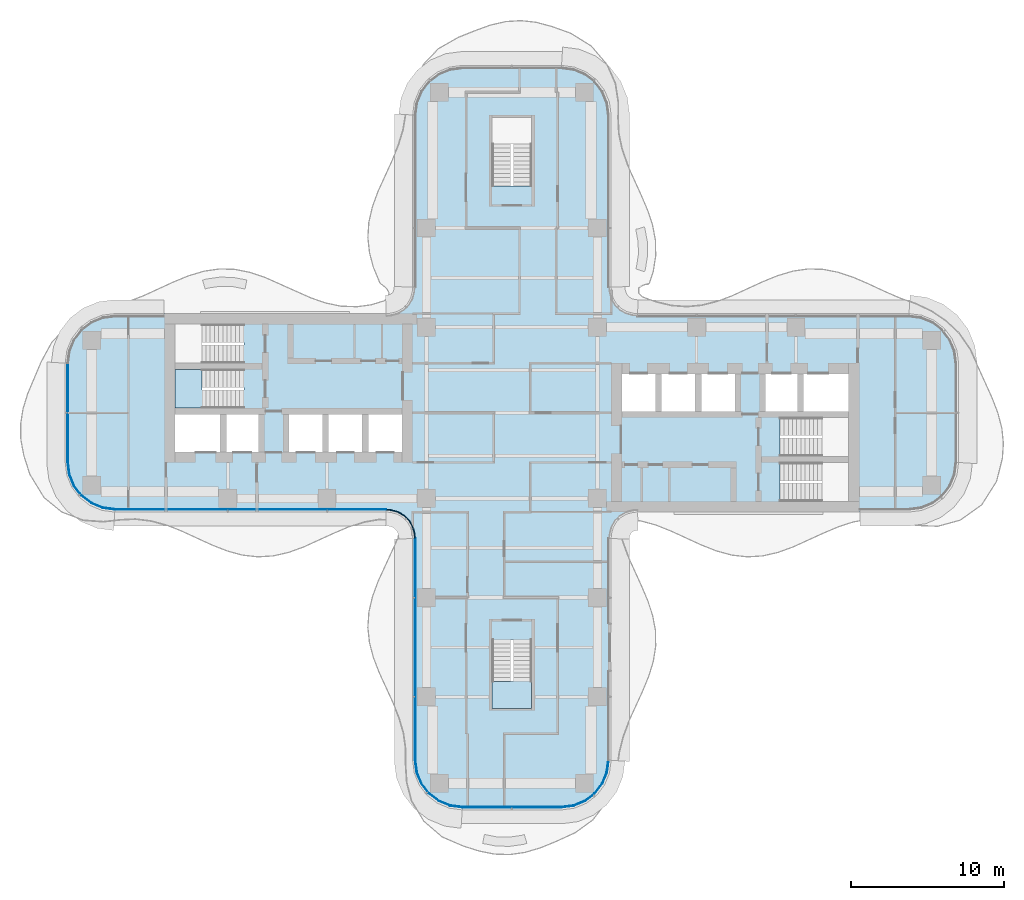
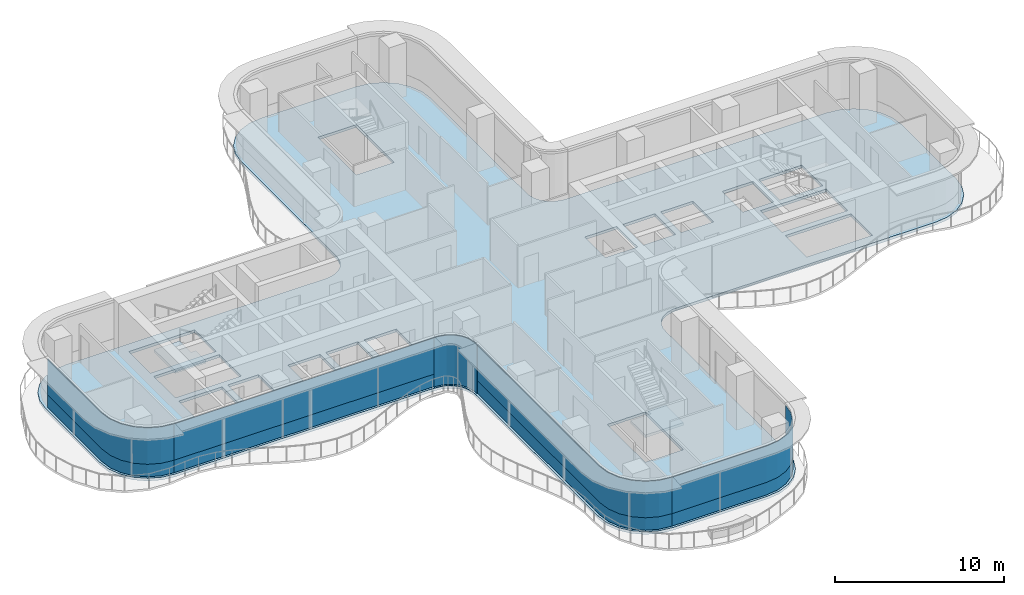
# One storey, part 10 of 18: 9 plates, 3 slabs, 7 elements without a shape of their own.
"""IFC4 building model written with IfcOpenShell, lengths in metres."""

from ifc_helpers import new_model, si_unit, direction, frame, origin, place, context, subcontext, project, spatial, polyline, outline, extrude, source, transform, mapped, material, layer, layer_set, type_object, element, aggregate, save


model = new_model("IFC4")

# Units and contexts
model_context = context("Model", 3, precision=1e-05, world=origin(), true_north=direction((0.0, 1.0)))
body_context = subcontext(model_context, "Body", "Model", "MODEL_VIEW")
ifc_project = project(units=[si_unit("LENGTHUNIT", "METRE"), si_unit("AREAUNIT", "SQUARE_METRE"), si_unit("VOLUMEUNIT", "CUBIC_METRE"), si_unit("PLANEANGLEUNIT", "RADIAN"), si_unit("MASSUNIT", "GRAM", prefix="KILO")], contexts=[model_context])

# Site, building, storey
site_placement = place(None, origin())
site = spatial("IfcSite", under=ifc_project, at=site_placement, CompositionType="ELEMENT")
building_placement = place(site_placement, origin())
building = spatial("IfcBuilding", under=site, at=building_placement, Name="Trellis Farm Tower", CompositionType="ELEMENT")
storey_placement = place(building_placement, frame((0.0, 0.0, 189.300048828125)))
storey = spatial("IfcBuildingStorey", under=building, at=storey_placement, Name="L41", CompositionType="ELEMENT", Elevation=189.300048828125)

# Slab
ifc_material_1 = material(Name="Concrete C40/50", Category="concrete")
ifc_layer_1 = layer(ifc_material_1, 0.199951171875)
ifc_layer_set_1 = layer_set([ifc_layer_1], Name="Composite deck floor slab 200")
slab_type_1 = type_object("IfcSlabType", Name="Composite deck floor slab 200", PredefinedType="FLOOR", material=ifc_layer_set_1)
shared_shape_1 = source(origin(), body_context, "Body", "SweptSolid", [
    extrude(outline(polyline([(-26.84130859375, -6.389404296875), (-27.625, -6.064697265625), (-28.298095703125, -5.548095703125), (-28.814697265625, -4.875), (-29.139404296875, -4.09130859375), (-29.25, -3.25), (-29.25, 3.25), (-29.139404296875, 4.09130859375), (-28.814697265625, 4.875), (-28.298095703125, 5.548095703125), (-27.625, 6.064697265625), (-26.84130859375, 6.389404296875), (-26.0, 6.5), (-8.2314453125, 6.5), (-8.01953125, 6.513916015625), (-7.91552734375, 6.527587890625), (-7.508544921875, 6.63671875), (-7.144287109375, 6.846923828125), (-6.846923828125, 7.144287109375), (-6.63671875, 7.508544921875), (-6.527587890625, 7.91552734375), (-6.513916015625, 8.01953125), (-6.5, 8.2314453125), (-6.5, 19.5), (-6.389404296875, 20.34130859375), (-6.064697265625, 21.125), (-5.548095703125, 21.798095703125), (-4.875, 22.314697265625), (-4.09130859375, 22.639404296875), (-3.25, 22.75), (3.25, 22.75), (4.09130859375, 22.639404296875), (4.875, 22.314697265625), (5.548095703125, 21.798095703125), (6.064697265625, 21.125), (6.389404296875, 20.34130859375), (6.5, 19.5), (6.5, 8.2314453125), (6.513916015625, 8.01953125), (6.527587890625, 7.91552734375), (6.63671875, 7.508544921875), (6.846923828125, 7.144287109375), (7.144287109375, 6.846923828125), (7.508544921875, 6.63671875), (7.91552734375, 6.527587890625), (8.01953125, 6.513916015625), (8.2314453125, 6.5), (26.0, 6.5), (26.84130859375, 6.389404296875), (27.625, 6.064697265625), (28.298095703125, 5.548095703125), (28.814697265625, 4.875), (29.139404296875, 4.09130859375), (29.25, 3.25), (29.25, -3.25), (29.139404296875, -4.09130859375), (28.814697265625, -4.875), (28.298095703125, -5.548095703125), (27.625, -6.064697265625), (26.84130859375, -6.389404296875), (26.0, -6.5), (8.2314453125, -6.5), (8.01953125, -6.513916015625), (7.91552734375, -6.527587890625), (7.508544921875, -6.63671875), (7.144287109375, -6.846923828125), (6.846923828125, -7.144287109375), (6.63671875, -7.508544921875), (6.527587890625, -7.91552734375), (6.513916015625, -8.01953125), (6.5, -8.2314453125), (6.5, -22.75), (6.389404296875, -23.59130859375), (6.064697265625, -24.375), (5.548095703125, -25.048095703125), (4.875, -25.564697265625), (4.09130859375, -25.889404296875), (3.25, -26.0), (-3.25, -26.0), (-4.09130859375, -25.889404296875), (-4.875, -25.564697265625), (-5.548095703125, -25.048095703125), (-6.064697265625, -24.375), (-6.389404296875, -23.59130859375), (-6.5, -22.75), (-6.5, -8.2314453125), (-6.513916015625, -8.01953125), (-6.527587890625, -7.91552734375), (-6.63671875, -7.508544921875), (-6.846923828125, -7.144287109375), (-7.144287109375, -6.846923828125), (-7.508544921875, -6.63671875), (-7.91552734375, -6.527587890625), (-8.01953125, -6.513916015625), (-8.2314453125, -6.5), (-26.0, -6.5), (-26.84130859375, -6.389404296875)]), holes=[polyline([(-22.050048828125, -0.10009765625), (-22.050048828125, -2.550048828125), (-19.10009765625, -2.550048828125), (-19.10009765625, -0.10009765625), (-22.050048828125, -0.10009765625)]), polyline([(-18.699951171875, -0.10009765625), (-18.699951171875, -2.550048828125), (-16.60009765625, -2.550048828125), (-16.60009765625, -0.10009765625), (-18.699951171875, -0.10009765625)]), polyline([(-14.60009765625, -0.10009765625), (-14.60009765625, -2.550048828125), (-12.39990234375, -2.550048828125), (-12.39990234375, -0.10009765625), (-14.60009765625, -0.10009765625)]), polyline([(-12.0, -0.10009765625), (-12.0, -2.550048828125), (-9.800048828125, -2.550048828125), (-9.800048828125, -0.10009765625), (-12.0, -0.10009765625)]), polyline([(-9.39990234375, -0.10009765625), (-9.39990234375, -2.550048828125), (-7.199951171875, -2.550048828125), (-7.199951171875, -0.10009765625), (-9.39990234375, -0.10009765625)]), polyline([(-17.56201171875, 1.64990234375), (-17.56201171875, 2.85009765625), (-22.050048828125, 2.85009765625), (-22.050048828125, 0.300048828125), (-17.56005859375, 0.300048828125), (-17.56005859375, 1.5), (-17.550048828125, 1.5), (-17.550048828125, 1.64990234375), (-17.56201171875, 1.64990234375)]), polyline([(-17.56201171875, 4.60009765625), (-17.56201171875, 5.800048828125), (-22.050048828125, 5.800048828125), (-22.050048828125, 3.25), (-17.56005859375, 3.25), (-17.56005859375, 4.449951171875), (-17.550048828125, 4.449951171875), (-17.550048828125, 4.60009765625), (-17.56201171875, 4.60009765625)]), polyline([(0.10009765625, 14.862060546875), (1.300048828125, 14.862060546875), (1.300048828125, 19.35009765625), (-1.300048828125, 19.35009765625), (-1.300048828125, 14.860107421875), (-0.10009765625, 14.860107421875), (-0.10009765625, 14.85009765625), (0.10009765625, 14.85009765625), (0.10009765625, 14.862060546875)]), polyline([(-0.10009765625, -14.862060546875), (-1.300048828125, -14.862060546875), (-1.300048828125, -19.35009765625), (1.300048828125, -19.35009765625), (1.300048828125, -14.860107421875), (0.10009765625, -14.860107421875), (0.10009765625, -14.85009765625), (-0.10009765625, -14.85009765625), (-0.10009765625, -14.862060546875)]), polyline([(17.56201171875, -4.60009765625), (17.56201171875, -5.800048828125), (22.050048828125, -5.800048828125), (22.050048828125, -3.25), (17.56005859375, -3.25), (17.56005859375, -4.449951171875), (17.550048828125, -4.449951171875), (17.550048828125, -4.60009765625), (17.56201171875, -4.60009765625)]), polyline([(17.56201171875, -1.64990234375), (17.56201171875, -2.85009765625), (22.050048828125, -2.85009765625), (22.050048828125, -0.300048828125), (17.56005859375, -0.300048828125), (17.56005859375, -1.5), (17.550048828125, -1.5), (17.550048828125, -1.64990234375), (17.56201171875, -1.64990234375)]), polyline([(9.39990234375, 0.10009765625), (9.39990234375, 2.550048828125), (7.199951171875, 2.550048828125), (7.199951171875, 0.10009765625), (9.39990234375, 0.10009765625)]), polyline([(12.0, 0.10009765625), (12.0, 2.550048828125), (9.800048828125, 2.550048828125), (9.800048828125, 0.10009765625), (12.0, 0.10009765625)]), polyline([(14.60009765625, 0.10009765625), (14.60009765625, 2.550048828125), (12.39990234375, 2.550048828125), (12.39990234375, 0.10009765625), (14.60009765625, 0.10009765625)]), polyline([(18.699951171875, 0.10009765625), (18.699951171875, 2.550048828125), (16.60009765625, 2.550048828125), (16.60009765625, 0.10009765625), (18.699951171875, 0.10009765625)]), polyline([(22.050048828125, 0.10009765625), (22.050048828125, 2.550048828125), (19.10009765625, 2.550048828125), (19.10009765625, 0.10009765625), (22.050048828125, 0.10009765625)])]), origin(), (0.0, 0.0, 1.0), 0.199951171875),
])
slab_1_placement = place(storey_placement, frame((0.0, 0.0, -0.199951171875)))
element("IfcSlab", 1, at=slab_1_placement, inside=storey, type_object=slab_type_1, Name="Floor slab", PredefinedType="FLOOR", context=body_context, shape_type="MappedRepresentation", body=[
    mapped(shared_shape_1, transform((0.0, 0.0, 0.0))),
])

# Stair, slab
ifc_material_2 = material(Name="Concrete C50/60", Category="concrete")
stair_type = type_object("IfcStairType", Name="CORE EXIT STAIR 22 RISERS 177 MM", PredefinedType="HALF_TURN_STAIR", material=ifc_material_2)
placement_1 = place(storey_placement, origin())
stair_1 = element("IfcStair", 2, at=placement_1, inside=storey, type_object=stair_type, Name="Exit stair S", PredefinedType="HALF_TURN_STAIR")
ifc_layer_2 = layer(ifc_material_2, 0.18994140625)
ifc_layer_set_2 = layer_set([ifc_layer_2], Name="CORE STAIR LANDING 190 CONCRETE C50/60")
slab_type_2 = type_object("IfcSlabType", Name="CORE STAIR LANDING 190 CONCRETE C50/60", PredefinedType="LANDING", material=ifc_layer_set_2)
shared_shape_2 = source(origin(), body_context, "Body", "SweptSolid", [
    extrude(outline(polyline([(1.300048828125, -19.35009765625), (-1.300048828125, -19.35009765625), (-1.300048828125, -17.60009765625), (-1.300048828125, -17.590087890625), (-0.10009765625, -17.590087890625), (-0.10009765625, -17.60009765625), (0.10009765625, -17.60009765625), (0.10009765625, -17.27197265625), (1.300048828125, -17.27197265625), (1.300048828125, -17.60009765625), (1.300048828125, -19.35009765625)])), origin(), (0.0, 0.0, 1.0), 0.18994140625),
])
placement_2 = place(storey_placement, frame((0.0, 0.0, 1.760009765625)))
slab_2 = element("IfcSlab", 3, at=placement_2, type_object=slab_type_2, Name="STS landing 1", PredefinedType="LANDING", context=body_context, shape_type="MappedRepresentation", body=[
    mapped(shared_shape_2, transform((0.0, 0.0, 0.0))),
])
aggregate(stair_1, [slab_2])

stair_2 = element("IfcStair", 4, at=placement_1, inside=storey, type_object=stair_type, Name="Exit stair W2", PredefinedType="HALF_TURN_STAIR")
shared_shape_3 = source(origin(), body_context, "Body", "SweptSolid", [
    extrude(outline(polyline([(-19.971923828125, 1.5), (-19.971923828125, 0.300048828125), (-20.300048828125, 0.300048828125), (-22.050048828125, 0.300048828125), (-22.050048828125, 2.85009765625), (-20.300048828125, 2.85009765625), (-20.2900390625, 2.85009765625), (-20.2900390625, 1.64990234375), (-20.300048828125, 1.64990234375), (-20.300048828125, 1.5), (-19.971923828125, 1.5)])), origin(), (0.0, 0.0, 1.0), 0.18994140625),
])
slab_3 = element("IfcSlab", 5, at=placement_2, type_object=slab_type_2, Name="STW2 landing 1", PredefinedType="LANDING", context=body_context, shape_type="MappedRepresentation", body=[
    mapped(shared_shape_3, transform((0.0, 0.0, 0.0))),
])
aggregate(stair_2, [slab_3])

# Curtain wall, plate
ifc_material_3 = material(Name="Aluminium and glass curtain wall", Category="aluminium")
ifc_layer_3 = layer(ifc_material_3, 0.18994140625)
ifc_layer_set_3 = layer_set([ifc_layer_3], Name="RIBBON CURTAIN WALL CW1")
curtain_wall_type_1 = type_object("IfcCurtainWallType", Name="RIBBON CURTAIN WALL CW1", PredefinedType="NOTDEFINED", material=ifc_layer_set_3)
curtain_wall_1 = element("IfcCurtainWall", 6, at=placement_1, inside=storey, type_object=curtain_wall_type_1, Name="CW1 002", PredefinedType="NOTDEFINED")
ifc_material_4 = material(Name="Sandstone faced insulated panel", Category="masonry")
ifc_layer_4 = layer(ifc_material_4, 0.050048828125)
ifc_layer_set_4 = layer_set([ifc_layer_4], Name="CW1 STONE SPANDREL PANEL 50")
plate_type_1 = type_object("IfcPlateType", Name="CW1 STONE SPANDREL PANEL 50", PredefinedType="CURTAIN_PANEL", material=ifc_layer_set_4)
shared_shape_4 = source(origin(), body_context, "Body", "SweptSolid", [
    extrude(outline(polyline([(-6.35009765625, -8.2265625), (-6.35009765625, -22.740234375), (-6.2431640625, -23.552001953125), (-5.93359375, -24.29931640625), (-5.441162109375, -24.941162109375), (-4.79931640625, -25.43359375), (-4.052001953125, -25.7431640625), (-3.240234375, -25.85009765625), (-3.23681640625, -25.800048828125), (-4.0390625, -25.6943359375), (-4.774169921875, -25.389892578125), (-5.405517578125, -24.905517578125), (-5.889892578125, -24.274169921875), (-6.1943359375, -23.5390625), (-6.300048828125, -22.73681640625), (-6.300048828125, -8.224853515625), (-6.35009765625, -8.2265625)])), origin(), (0.0, 0.0, 1.0), 0.89990234375),
])
plate_1 = element("IfcPlate", 7, at=placement_1, type_object=plate_type_1, Name="PS1 002", PredefinedType="CURTAIN_PANEL", context=body_context, shape_type="MappedRepresentation", body=[
    mapped(shared_shape_4, transform((0.0, 0.0, 0.0))),
])

curtain_wall_2 = element("IfcCurtainWall", 8, at=placement_1, inside=storey, type_object=curtain_wall_type_1, Name="CW1 003", PredefinedType="NOTDEFINED")
shared_shape_5 = source(origin(), body_context, "Body", "SweptSolid", [
    extrude(outline(polyline([(-3.240234375, -25.85009765625), (3.240234375, -25.85009765625), (4.052001953125, -25.7431640625), (4.79931640625, -25.43359375), (5.441162109375, -24.941162109375), (5.93359375, -24.29931640625), (6.2431640625, -23.552001953125), (6.35009765625, -22.740234375), (6.300048828125, -22.73681640625), (6.1943359375, -23.5390625), (5.889892578125, -24.274169921875), (5.405517578125, -24.905517578125), (4.774169921875, -25.389892578125), (4.0390625, -25.6943359375), (3.23681640625, -25.800048828125), (-3.23681640625, -25.800048828125), (-3.240234375, -25.85009765625)])), origin(), (0.0, 0.0, 1.0), 0.89990234375),
])
plate_2 = element("IfcPlate", 9, at=placement_1, type_object=plate_type_1, Name="PS1 003", PredefinedType="CURTAIN_PANEL", context=body_context, shape_type="MappedRepresentation", body=[
    mapped(shared_shape_5, transform((0.0, 0.0, 0.0))),
])

ifc_layer_5 = layer(ifc_material_3, 0.166015625)
ifc_layer_set_5 = layer_set([ifc_layer_5], Name="WINTER GARDEN CURTAIN WALL CW3")
curtain_wall_type_2 = type_object("IfcCurtainWallType", Name="WINTER GARDEN CURTAIN WALL CW3", PredefinedType="NOTDEFINED", material=ifc_layer_set_5)
curtain_wall_3 = element("IfcCurtainWall", 10, at=placement_1, inside=storey, type_object=curtain_wall_type_2, Name="CW3 001", PredefinedType="NOTDEFINED")
ifc_material_5 = material(Name="Clear insulated glass", Category="glass")
ifc_layer_6 = layer(ifc_material_5, 0.0458984375)
ifc_layer_set_6 = layer_set([ifc_layer_6], Name="CW3 GLASS PANEL 46")
plate_type_2 = type_object("IfcPlateType", Name="CW3 GLASS PANEL 46", PredefinedType="CURTAIN_PANEL", material=ifc_layer_set_6)
shared_shape_6 = source(origin(), body_context, "Body", "SweptSolid", [
    extrude(outline(polyline([(-8.2275390625, -6.3798828125), (-8.0078125, -6.394287109375), (-7.89208984375, -6.40966796875), (-7.462158203125, -6.52490234375), (-7.070556640625, -6.7509765625), (-6.7509765625, -7.070556640625), (-6.52490234375, -7.462158203125), (-6.40966796875, -7.89208984375), (-6.394287109375, -8.0078125), (-6.3798828125, -8.2275390625), (-6.333984375, -8.22607421875), (-6.3486328125, -8.003173828125), (-6.364501953125, -7.883056640625), (-6.48193359375, -7.4443359375), (-6.714111328125, -7.04248046875), (-7.04248046875, -6.714111328125), (-7.4443359375, -6.48193359375), (-7.883056640625, -6.364501953125), (-8.003173828125, -6.3486328125), (-8.22607421875, -6.333984375), (-8.2275390625, -6.3798828125)])), origin(), (0.0, 0.0, 1.0), 3.550048828125),
])
plate_3 = element("IfcPlate", 11, at=placement_1, type_object=plate_type_2, Name="PL3 001", PredefinedType="CURTAIN_PANEL", context=body_context, shape_type="MappedRepresentation", body=[
    mapped(shared_shape_6, transform((0.0, 0.0, 0.0))),
])
aggregate(curtain_wall_3, [plate_3])

# Curtain wall, plates
curtain_wall_4 = element("IfcCurtainWall", 12, at=placement_1, inside=storey, type_object=curtain_wall_type_1, Name="CW1 001", PredefinedType="NOTDEFINED")
ifc_layer_7 = layer(ifc_material_5, 0.0400390625)
ifc_layer_set_7 = layer_set([ifc_layer_7], Name="CW1 GLASS PANEL 40")
plate_type_3 = type_object("IfcPlateType", Name="CW1 GLASS PANEL 40", PredefinedType="CURTAIN_PANEL", material=ifc_layer_set_7)
shared_shape_7 = source(origin(), body_context, "Body", "SweptSolid", [
    extrude(outline(polyline([(-25.990234375, -6.35009765625), (-8.2265625, -6.35009765625), (-8.22509765625, -6.31005859375), (-25.987548828125, -6.31005859375), (-25.990234375, -6.35009765625)])), origin(), (0.0, 0.0, 1.0), 2.6201171875),
])
placement_3 = place(storey_placement, frame((0.0, 0.0, 0.89990234375)))
plate_4 = element("IfcPlate", 13, at=placement_3, type_object=plate_type_3, Name="PL1 001", PredefinedType="CURTAIN_PANEL", context=body_context, shape_type="MappedRepresentation", body=[
    mapped(shared_shape_7, transform((0.0, 0.0, 0.0))),
])
shared_shape_8 = source(origin(), body_context, "Body", "SweptSolid", [
    extrude(outline(polyline([(-25.990234375, -6.35009765625), (-8.2265625, -6.35009765625), (-8.224853515625, -6.300048828125), (-25.98681640625, -6.300048828125), (-25.990234375, -6.35009765625)])), origin(), (0.0, 0.0, 1.0), 0.89990234375),
])
plate_5 = element("IfcPlate", 14, at=placement_1, type_object=plate_type_1, Name="PS1 001", PredefinedType="CURTAIN_PANEL", context=body_context, shape_type="MappedRepresentation", body=[
    mapped(shared_shape_8, transform((0.0, 0.0, 0.0))),
])
aggregate(curtain_wall_4, [plate_4, plate_5])

# Plate
shared_shape_9 = source(origin(), body_context, "Body", "SweptSolid", [
    extrude(outline(polyline([(-6.35009765625, -8.2265625), (-6.35009765625, -22.740234375), (-6.2431640625, -23.552001953125), (-5.93359375, -24.29931640625), (-5.441162109375, -24.941162109375), (-4.79931640625, -25.43359375), (-4.052001953125, -25.7431640625), (-3.240234375, -25.85009765625), (-3.237548828125, -25.81005859375), (-4.04150390625, -25.7041015625), (-4.779296875, -25.398681640625), (-5.41259765625, -24.91259765625), (-5.898681640625, -24.279296875), (-6.2041015625, -23.54150390625), (-6.31005859375, -22.737548828125), (-6.31005859375, -8.22509765625), (-6.35009765625, -8.2265625)])), origin(), (0.0, 0.0, 1.0), 2.6201171875),
])
plate_6 = element("IfcPlate", 15, at=placement_3, type_object=plate_type_3, Name="PL1 002", PredefinedType="CURTAIN_PANEL", context=body_context, shape_type="MappedRepresentation", body=[
    mapped(shared_shape_9, transform((0.0, 0.0, 0.0))),
])

aggregate(curtain_wall_1, [plate_6, plate_1])

shared_shape_10 = source(origin(), body_context, "Body", "SweptSolid", [
    extrude(outline(polyline([(-3.240234375, -25.85009765625), (3.240234375, -25.85009765625), (4.052001953125, -25.7431640625), (4.79931640625, -25.43359375), (5.441162109375, -24.941162109375), (5.93359375, -24.29931640625), (6.2431640625, -23.552001953125), (6.35009765625, -22.740234375), (6.31005859375, -22.737548828125), (6.2041015625, -23.54150390625), (5.898681640625, -24.279296875), (5.41259765625, -24.91259765625), (4.779296875, -25.398681640625), (4.04150390625, -25.7041015625), (3.237548828125, -25.81005859375), (-3.237548828125, -25.81005859375), (-3.240234375, -25.85009765625)])), origin(), (0.0, 0.0, 1.0), 2.6201171875),
])
plate_7 = element("IfcPlate", 16, at=placement_3, type_object=plate_type_3, Name="PL1 003", PredefinedType="CURTAIN_PANEL", context=body_context, shape_type="MappedRepresentation", body=[
    mapped(shared_shape_10, transform((0.0, 0.0, 0.0))),
])

aggregate(curtain_wall_2, [plate_7, plate_2])

# Curtain wall, plates
curtain_wall_5 = element("IfcCurtainWall", 17, at=placement_1, inside=storey, type_object=curtain_wall_type_1, Name="CW1 013", PredefinedType="NOTDEFINED")
shared_shape_11 = source(origin(), body_context, "Body", "SweptSolid", [
    extrude(outline(polyline([(-29.10009765625, 3.240234375), (-29.10009765625, -3.240234375), (-28.9931640625, -4.052001953125), (-28.68359375, -4.79931640625), (-28.191162109375, -5.441162109375), (-27.54931640625, -5.93359375), (-26.802001953125, -6.2431640625), (-25.990234375, -6.35009765625), (-25.987548828125, -6.31005859375), (-26.79150390625, -6.2041015625), (-27.529296875, -5.898681640625), (-28.16259765625, -5.41259765625), (-28.648681640625, -4.779296875), (-28.9541015625, -4.04150390625), (-29.06005859375, -3.237548828125), (-29.06005859375, 3.237548828125), (-29.10009765625, 3.240234375)])), origin(), (0.0, 0.0, 1.0), 2.6201171875),
])
plate_8 = element("IfcPlate", 18, at=placement_3, type_object=plate_type_3, Name="PL1 013", PredefinedType="CURTAIN_PANEL", context=body_context, shape_type="MappedRepresentation", body=[
    mapped(shared_shape_11, transform((0.0, 0.0, 0.0))),
])
shared_shape_12 = source(origin(), body_context, "Body", "SweptSolid", [
    extrude(outline(polyline([(-29.10009765625, 3.240234375), (-29.10009765625, -3.240234375), (-28.9931640625, -4.052001953125), (-28.68359375, -4.79931640625), (-28.191162109375, -5.441162109375), (-27.54931640625, -5.93359375), (-26.802001953125, -6.2431640625), (-25.990234375, -6.35009765625), (-25.98681640625, -6.300048828125), (-26.7890625, -6.1943359375), (-27.524169921875, -5.889892578125), (-28.155517578125, -5.405517578125), (-28.639892578125, -4.774169921875), (-28.9443359375, -4.0390625), (-29.050048828125, -3.23681640625), (-29.050048828125, 3.23681640625), (-29.10009765625, 3.240234375)])), origin(), (0.0, 0.0, 1.0), 0.89990234375),
])
plate_9 = element("IfcPlate", 19, at=placement_1, type_object=plate_type_1, Name="PS1 013", PredefinedType="CURTAIN_PANEL", context=body_context, shape_type="MappedRepresentation", body=[
    mapped(shared_shape_12, transform((0.0, 0.0, 0.0))),
])
aggregate(curtain_wall_5, [plate_8, plate_9])

save(model, "model.ifc")
